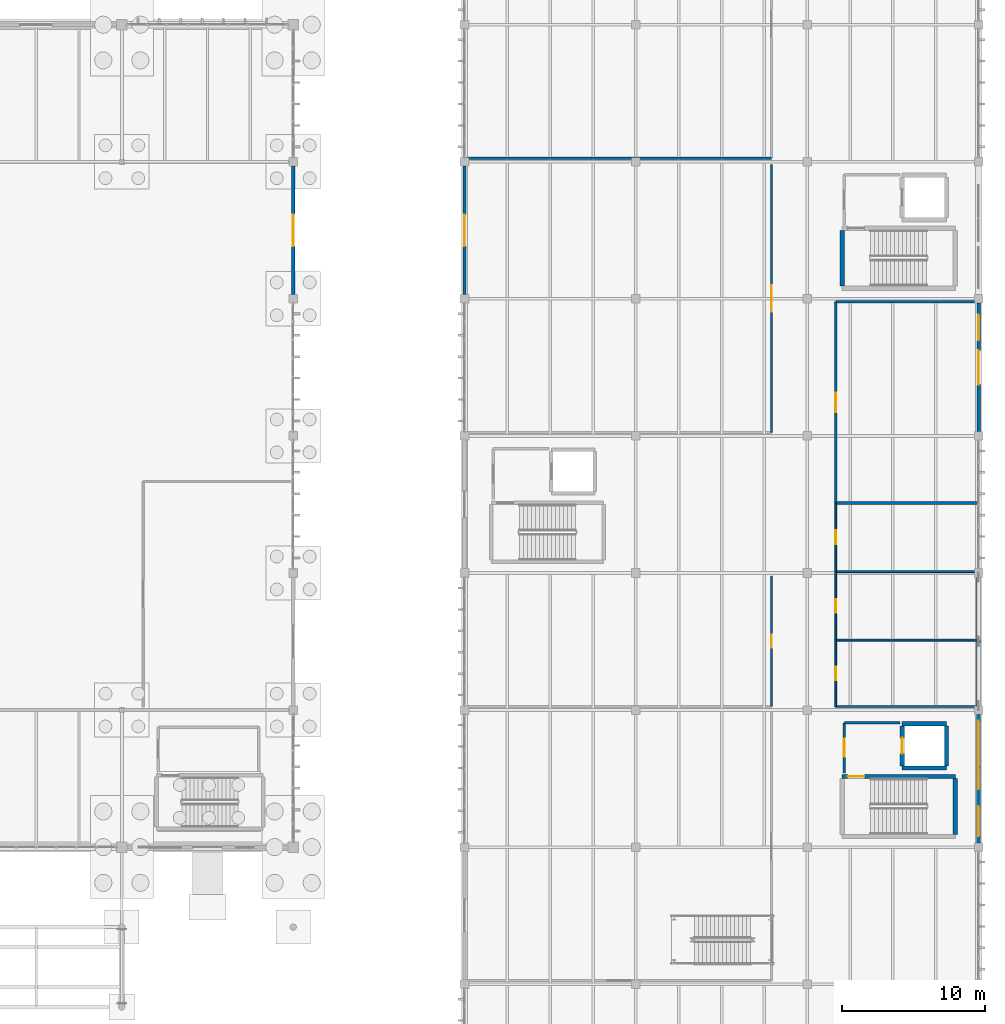
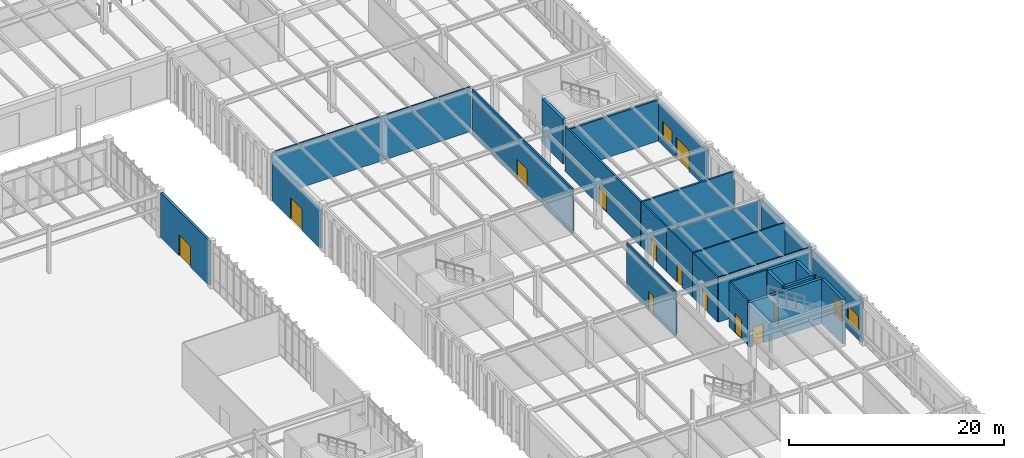
# One storey, part 168 of 188: 26 walls, 13 doors, 3 windows, 16 openings.
"""IFC4 building model written with IfcOpenShell, lengths in metres."""

from ifc_helpers import new_model, si_unit, direction, frame, frame_2d, origin, place, context, subcontext, project, spatial, rectangle, extrude, material, layer, layer_set, type_object, element, fill, save


model = new_model("IFC4")

# Units and contexts
model_context = context("Model", 3, precision=1e-05, world=origin(), true_north=direction((0.0, 1.0)))
body_context = subcontext(model_context, "Body", "Model", "MODEL_VIEW")
ifc_project = project(units=[si_unit("LENGTHUNIT", "METRE"), si_unit("AREAUNIT", "SQUARE_METRE"), si_unit("VOLUMEUNIT", "CUBIC_METRE"), si_unit("PLANEANGLEUNIT", "RADIAN"), si_unit("MASSUNIT", "GRAM", prefix="KILO")], contexts=[model_context])

# Site, building, storey
site_placement = place(None, origin())
site = spatial("IfcSite", under=ifc_project, at=site_placement, CompositionType="ELEMENT")
building_placement = place(site_placement, origin())
building = spatial("IfcBuilding", under=site, at=building_placement, Name="Pandanus Reach Market Hall", CompositionType="ELEMENT")
storey_placement = place(building_placement, origin())
storey = spatial("IfcBuildingStorey", under=building, at=storey_placement, Name="L00", CompositionType="ELEMENT", Elevation=0.0)

# Wall, opening, door
ifc_material_1 = material(Name="Concrete N40 (40 MPa)", Category="concrete")
ifc_layer_1 = layer(ifc_material_1, 0.300048828125, Name="WL-CORE-300")
ifc_layer_set_1 = layer_set([ifc_layer_1], Name="Concrete N40 (40 MPa)")
wall_type_1 = type_object("IfcWallType", Name="WL-CORE-300", PredefinedType="SHEAR", material=ifc_layer_set_1)
wall_1_placement = place(storey_placement, frame((170.449951171875, 33.75, 0.0), z_axis=(0.0, 0.0, 1.0), x_axis=(1.0, 0.0, 0.0)))
wall_1 = element("IfcWall", 1, at=wall_1_placement, inside=storey, type_object=wall_type_1, Name="Internal wall WL-CORE-300 WL-0161", PredefinedType="SHEAR", context=body_context, shape_type="SweptSolid", body=[
    extrude(rectangle(XDim=7.920166015625, YDim=0.300048828125, at=frame_2d((3.9599609375, 0.0))), origin(), (0.0, 0.0, 1.0), 5.080078125),
])
opening_1_placement = place(wall_1_placement, frame((0.39990234375, 0.0, 0.0)))
opening_1 = element("IfcOpeningElement", 2, at=opening_1_placement, cuts=wall_1, Name="Opening DR-FD1", PredefinedType="OPENING", context=body_context, shape_type="SweptSolid", body=[
    extrude(rectangle(XDim=1.14990234375, YDim=2.14990234375, at=frame_2d((0.574951171875, 1.074951171875))), frame((0.0, 0.1650390625, 0.0), z_axis=(0.0, -1.0, 0.0), x_axis=(1.0, 0.0, 0.0)), (0.0, 0.0, 1.0), 0.330078125),
])
ifc_material_2 = material(Name="Fire-rated steel door", Category="steel")
door_type_1 = type_object("IfcDoorType", Name="DR-FD1", OperationType="NOTDEFINED", PredefinedType="DOOR", material=ifc_material_2)
door_1_placement = place(opening_1_placement, origin())
door_1 = element("IfcDoor", 3, at=door_1_placement, inside=storey, type_object=door_type_1, Name="Fire stair door ST-01 L00", OperationType="SINGLE_SWING_LEFT", OverallHeight=2.14990234375, OverallWidth=1.14990234375, PredefinedType="DOOR", context=body_context, shape_type="SweptSolid", body=[
    extrude(rectangle(XDim=1.14990234375, YDim=2.14990234375, at=frame_2d((0.574951171875, 1.074951171875))), frame((0.0, 0.02490234375, 0.0), z_axis=(0.0, -1.0, 0.0), x_axis=(1.0, 0.0, 0.0)), (0.0, 0.0, 1.0), 0.050048828125),
])
fill(opening_1, door_1)

# Walls
wall_2_placement = place(storey_placement, frame((178.3701171875, 29.699951171875, 0.0), z_axis=(0.0, 0.0, 1.0), x_axis=(0.0, 1.0, 0.0)))
element("IfcWall", 4, at=wall_2_placement, inside=storey, type_object=wall_type_1, Name="Internal wall WL-CORE-300 WL-0163", PredefinedType="SHEAR", context=body_context, shape_type="SweptSolid", body=[
    extrude(rectangle(XDim=3.900146484375, YDim=0.300048828125, at=frame_2d((1.9501953125, 0.0))), origin(), (0.0, 0.0, 1.0), 5.080078125),
])
for number, where, z_axis, x_axis, name in (
    (5, (174.64990234375, 34.35009765625, 0.0), (0.0, 0.0, 1.0), (1.0, 0.0, 0.0), "Internal wall WL-CORE-300 WL-0164"),
    (6, (174.64990234375, 37.449951171875, 0.0), (0.0, 0.0, 1.0), (1.0, 0.0, 0.0), "Internal wall WL-CORE-300 WL-0165"),
):
    element("IfcWall", number, at=place(storey_placement, frame(where, z_axis=z_axis, x_axis=x_axis)), inside=storey, type_object=wall_type_1, Name=name, PredefinedType="SHEAR", context=body_context, shape_type="SweptSolid", body=[
        extrude(rectangle(XDim=3.10009765625, YDim=0.300048828125, at=frame_2d((1.550048828125, 0.0))), origin(), (0.0, 0.0, 1.0), 5.080078125),
    ])
wall_3_placement = place(storey_placement, frame((177.75, 34.5, 0.0), z_axis=(0.0, 0.0, 1.0), x_axis=(0.0, 1.0, 0.0)))
element("IfcWall", 7, at=wall_3_placement, inside=storey, type_object=wall_type_1, Name="Internal wall WL-CORE-300 WL-0166", PredefinedType="SHEAR", context=body_context, shape_type="SweptSolid", body=[
    extrude(rectangle(XDim=2.800048828125, YDim=0.300048828125, at=frame_2d((1.39990234375, 0.0))), origin(), (0.0, 0.0, 1.0), 5.080078125),
])

# Wall, opening, door
wall_4_placement = place(storey_placement, frame((174.64990234375, 34.5, 0.0), z_axis=(0.0, 0.0, 1.0), x_axis=(0.0, 1.0, 0.0)))
wall_4 = element("IfcWall", 8, at=wall_4_placement, inside=storey, type_object=wall_type_1, Name="Internal wall WL-CORE-300 WL-0167", PredefinedType="SHEAR", context=body_context, shape_type="SweptSolid", body=[
    extrude(rectangle(XDim=2.800048828125, YDim=0.300048828125, at=frame_2d((1.39990234375, 0.0))), origin(), (0.0, 0.0, 1.0), 5.080078125),
])
opening_2_placement = place(wall_4_placement, frame((0.85009765625, 0.0, 0.0)))
opening_2 = element("IfcOpeningElement", 9, at=opening_2_placement, cuts=wall_4, Name="Opening LD-01", PredefinedType="OPENING", context=body_context, shape_type="SweptSolid", body=[
    extrude(rectangle(XDim=1.10009765625, YDim=2.14990234375, at=frame_2d((0.550048828125, 1.074951171875))), frame((0.0, 0.1650390625, 0.0), z_axis=(0.0, -1.0, 0.0), x_axis=(1.0, 0.0, 0.0)), (0.0, 0.0, 1.0), 0.330078125),
])
ifc_material_3 = material(Name="Stainless steel lift landing door", Category="steel")
door_type_2 = type_object("IfcDoorType", Name="LD-01", OperationType="SLIDING_TO_LEFT", PredefinedType="DOOR", material=ifc_material_3)
door_2_placement = place(opening_2_placement, origin())
door_2 = element("IfcDoor", 10, at=door_2_placement, inside=storey, type_object=door_type_2, Name="Lift landing door LF-01 LD-01 6", OperationType="SLIDING_TO_LEFT", OverallHeight=2.14990234375, OverallWidth=1.10009765625, PredefinedType="DOOR", context=body_context, shape_type="SweptSolid", body=[
    extrude(rectangle(XDim=1.10009765625, YDim=2.14990234375, at=frame_2d((0.550048828125, 1.074951171875))), frame((0.0, 0.02490234375, 0.0), z_axis=(0.0, -1.0, 0.0), x_axis=(1.0, 0.0, 0.0)), (0.0, 0.0, 1.0), 0.050048828125),
])
fill(opening_2, door_2)

# Wall
wall_5_placement = place(storey_placement, frame((170.449951171875, 68.10009765625, 0.0), z_axis=(0.0, 0.0, 1.0), x_axis=(0.0, 1.0, 0.0)))
element("IfcWall", 11, at=wall_5_placement, inside=storey, type_object=wall_type_1, Name="Internal wall WL-CORE-300 WL-0222", PredefinedType="SHEAR", context=body_context, shape_type="SweptSolid", body=[
    extrude(rectangle(XDim=3.89990234375, YDim=0.300048828125, at=frame_2d((1.949951171875, 0.0))), origin(), (0.0, 0.0, 1.0), 5.080078125),
])

# Wall, openings, door, window
ifc_material_4 = material(Name="Precast concrete S50 (50 MPa)", Category="concrete")
ifc_layer_2 = layer(ifc_material_4, 0.239990234375, Name="WL-EXT-240")
ifc_layer_set_2 = layer_set([ifc_layer_2], Name="Precast concrete S50 (50 MPa)")
wall_type_2 = type_object("IfcWallType", Name="WL-EXT-240", PredefinedType="SOLIDWALL", material=ifc_layer_set_2)
wall_6_placement = place(storey_placement, frame((180.0, 57.89990234375, 0.0), z_axis=(0.0, 0.0, 1.0), x_axis=(0.0, 1.0, 0.0)))
wall_6 = element("IfcWall", 12, at=wall_6_placement, inside=storey, type_object=wall_type_2, Name="External wall WL-EXT-240 WL-0092", PredefinedType="SOLIDWALL", context=body_context, shape_type="SweptSolid", body=[
    extrude(rectangle(XDim=9.0, YDim=0.239990234375, at=frame_2d((4.5, 0.0))), origin(), (0.0, 0.0, 1.0), 4.321044921875),
])
opening_3_placement = place(wall_6_placement, frame((3.300048828125, 0.0, 0.0)))
opening_3 = element("IfcOpeningElement", 13, at=opening_3_placement, cuts=wall_6, Name="Opening ED-240", PredefinedType="OPENING", context=body_context, shape_type="SweptSolid", body=[
    extrude(rectangle(XDim=2.39990234375, YDim=2.39990234375, at=frame_2d((1.199951171875, 1.199951171875))), frame((0.0, 0.135009765625, 0.0), z_axis=(0.0, -1.0, 0.0), x_axis=(1.0, 0.0, 0.0)), (0.0, 0.0, 1.0), 0.27001953125),
])
opening_4_placement = place(wall_6_placement, frame((6.39990234375, 0.0, 0.89990234375)))
opening_4 = element("IfcOpeningElement", 14, at=opening_4_placement, cuts=wall_6, Name="Opening WN-03", PredefinedType="OPENING", context=body_context, shape_type="SweptSolid", body=[
    extrude(rectangle(XDim=1.800048828125, YDim=1.800048828125, at=frame_2d((0.89990234375, 0.89990234375))), frame((0.0, 0.135009765625, 0.0), z_axis=(0.0, -1.0, 0.0), x_axis=(1.0, 0.0, 0.0)), (0.0, 0.0, 1.0), 0.27001953125),
])
ifc_material_5 = material(Name="Bronze anodised aluminium", Category="aluminium")
door_type_3 = type_object("IfcDoorType", Name="ED-240", OperationType="DOUBLE_DOOR_SINGLE_SWING", PredefinedType="DOOR", material=ifc_material_5)
door_3_placement = place(opening_3_placement, frame((2.39990234375, 0.0, 0.0), z_axis=(0.0, 0.0, 1.0), x_axis=(-1.0, 0.0, 0.0)))
door_3 = element("IfcDoor", 15, at=door_3_placement, inside=storey, type_object=door_type_3, Name="Boulevard shopfront entrance ED-240 30", OperationType="DOUBLE_DOOR_SINGLE_SWING", OverallHeight=2.39990234375, OverallWidth=2.39990234375, PredefinedType="DOOR", context=body_context, shape_type="SweptSolid", body=[
    extrude(rectangle(XDim=2.39990234375, YDim=2.39990234375, at=frame_2d((1.199951171875, 1.199951171875))), frame((0.0, 0.02490234375, 0.0), z_axis=(0.0, -1.0, 0.0), x_axis=(1.0, 0.0, 0.0)), (0.0, 0.0, 1.0), 0.050048828125),
])
fill(opening_3, door_3)
ifc_material_6 = material(Name="Solar-control double glazing", Category="glass")
window_type_1 = type_object("IfcWindowType", Name="WN-03", PartitioningType="SINGLE_PANEL", PredefinedType="WINDOW", material=ifc_material_6)
window_1_placement = place(opening_4_placement, origin())
window_1 = element("IfcWindow", 16, at=window_1_placement, inside=storey, type_object=window_type_1, Name="Window WN-03 47", OverallHeight=1.800048828125, OverallWidth=1.800048828125, PartitioningType="SINGLE_PANEL", PredefinedType="WINDOW", context=body_context, shape_type="SweptSolid", body=[
    extrude(rectangle(XDim=1.800048828125, YDim=1.800048828125, at=frame_2d((0.89990234375, 0.89990234375))), frame((0.0, 0.030029296875, 0.0), z_axis=(0.0, -1.0, 0.0), x_axis=(1.0, 0.0, 0.0)), (0.0, 0.0, 1.0), 0.06005859375),
])
fill(opening_4, window_1)

# Wall, opening, door
wall_7_placement = place(storey_placement, frame((144.0, 67.5, 0.0), z_axis=(0.0, 0.0, 1.0), x_axis=(0.0, 1.0, 0.0)))
wall_7 = element("IfcWall", 17, at=wall_7_placement, inside=storey, type_object=wall_type_2, Name="External wall WL-EXT-240 WL-0096", PredefinedType="SOLIDWALL", context=body_context, shape_type="SweptSolid", body=[
    extrude(rectangle(XDim=9.0, YDim=0.239990234375, at=frame_2d((4.5, 0.0))), origin(), (0.0, 0.0, 1.0), 4.321044921875),
])
opening_5_placement = place(wall_7_placement, frame((3.39990234375, 0.0, 0.0)))
opening_5 = element("IfcOpeningElement", 18, at=opening_5_placement, cuts=wall_7, Name="Opening ED-220", PredefinedType="OPENING", context=body_context, shape_type="SweptSolid", body=[
    extrude(rectangle(XDim=2.199951171875, YDim=2.39990234375, at=frame_2d((1.10009765625, 1.199951171875))), frame((0.0, 0.135009765625, 0.0), z_axis=(0.0, -1.0, 0.0), x_axis=(1.0, 0.0, 0.0)), (0.0, 0.0, 1.0), 0.27001953125),
])
door_type_4 = type_object("IfcDoorType", Name="ED-220", OperationType="DOUBLE_DOOR_SINGLE_SWING", PredefinedType="DOOR", material=ifc_material_5)
door_4_placement = place(opening_5_placement, origin())
door_4 = element("IfcDoor", 19, at=door_4_placement, inside=storey, type_object=door_type_4, Name="East market arcade entrance ED-220 34", OperationType="DOUBLE_DOOR_SINGLE_SWING", OverallHeight=2.39990234375, OverallWidth=2.199951171875, PredefinedType="DOOR", context=body_context, shape_type="SweptSolid", body=[
    extrude(rectangle(XDim=2.199951171875, YDim=2.39990234375, at=frame_2d((1.10009765625, 1.199951171875))), frame((0.0, 0.02490234375, 0.0), z_axis=(0.0, -1.0, 0.0), x_axis=(1.0, 0.0, 0.0)), (0.0, 0.0, 1.0), 0.050048828125),
])
fill(opening_5, door_4)

ifc_layer_3 = layer(ifc_material_4, 0.260009765625, Name="WL-EXT-260")
ifc_layer_set_3 = layer_set([ifc_layer_3], Name="Precast concrete S50 (50 MPa)")
wall_type_3 = type_object("IfcWallType", Name="WL-EXT-260", PredefinedType="SOLIDWALL", material=ifc_layer_set_3)
wall_8_placement = place(storey_placement, frame((132.0, 67.5, 0.0), z_axis=(0.0, 0.0, 1.0), x_axis=(0.0, 1.0, 0.0)))
wall_8 = element("IfcWall", 20, at=wall_8_placement, inside=storey, type_object=wall_type_3, Name="External wall WL-EXT-260 WL-0059", PredefinedType="SOLIDWALL", context=body_context, shape_type="SweptSolid", body=[
    extrude(rectangle(XDim=9.0, YDim=0.260009765625, at=frame_2d((4.5, 0.0))), origin(), (0.0, 0.0, 1.0), 5.10009765625),
])
opening_6_placement = place(wall_8_placement, frame((3.39990234375, 0.0, 0.0)))
opening_6 = element("IfcOpeningElement", 21, at=opening_6_placement, cuts=wall_8, Name="Opening ED-220", PredefinedType="OPENING", context=body_context, shape_type="SweptSolid", body=[
    extrude(rectangle(XDim=2.199951171875, YDim=2.39990234375, at=frame_2d((1.10009765625, 1.199951171875))), frame((0.0, 0.14501953125, 0.0), z_axis=(0.0, -1.0, 0.0), x_axis=(1.0, 0.0, 0.0)), (0.0, 0.0, 1.0), 0.2900390625),
])
door_5_placement = place(opening_6_placement, frame((2.199951171875, 0.0, 0.0), z_axis=(0.0, 0.0, 1.0), x_axis=(-1.0, 0.0, 0.0)))
door_5 = element("IfcDoor", 22, at=door_5_placement, inside=storey, type_object=door_type_4, Name="Market gable entrance ED-220 12", OperationType="DOUBLE_DOOR_SINGLE_SWING", OverallHeight=2.39990234375, OverallWidth=2.199951171875, PredefinedType="DOOR", context=body_context, shape_type="SweptSolid", body=[
    extrude(rectangle(XDim=2.199951171875, YDim=2.39990234375, at=frame_2d((1.10009765625, 1.199951171875))), frame((0.0, 0.02490234375, 0.0), z_axis=(0.0, -1.0, 0.0), x_axis=(1.0, 0.0, 0.0)), (0.0, 0.0, 1.0), 0.050048828125),
])
fill(opening_6, door_5)

# Wall, openings, door, windows
wall_9_placement = place(storey_placement, frame((180.0, 29.10009765625, 0.0), z_axis=(0.0, 0.0, 1.0), x_axis=(0.0, 1.0, 0.0)))
wall_9 = element("IfcWall", 23, at=wall_9_placement, inside=storey, type_object=wall_type_3, Name="External wall WL-EXT-260 WL-0090", PredefinedType="SOLIDWALL", context=body_context, shape_type="SweptSolid", body=[
    extrude(rectangle(XDim=9.0, YDim=0.260009765625, at=frame_2d((4.5, 0.0))), origin(), (0.0, 0.0, 1.0), 5.10009765625),
])
opening_7_placement = place(wall_9_placement, frame((3.75, 0.0, 0.0)))
opening_7 = element("IfcOpeningElement", 24, at=opening_7_placement, cuts=wall_9, Name="Opening ED-150", PredefinedType="OPENING", context=body_context, shape_type="SweptSolid", body=[
    extrude(rectangle(XDim=1.5, YDim=2.199951171875, at=frame_2d((0.75, 1.10009765625))), frame((0.0, 0.14501953125, 0.0), z_axis=(0.0, -1.0, 0.0), x_axis=(1.0, 0.0, 0.0)), (0.0, 0.0, 1.0), 0.2900390625),
])
opening_8_placement = place(wall_9_placement, frame((5.39990234375, 0.0, 0.949951171875)))
opening_8 = element("IfcOpeningElement", 25, at=opening_8_placement, cuts=wall_9, Name="Opening WN-32", PredefinedType="OPENING", context=body_context, shape_type="SweptSolid", body=[
    extrude(rectangle(XDim=3.14990234375, YDim=1.64990234375, at=frame_2d((1.574951171875, 0.824951171875))), frame((0.0, 0.14501953125, 0.0), z_axis=(0.0, -1.0, 0.0), x_axis=(1.0, 0.0, 0.0)), (0.0, 0.0, 1.0), 0.2900390625),
])
opening_9_placement = place(wall_9_placement, frame((0.449951171875, 0.0, 0.89990234375)))
opening_9 = element("IfcOpeningElement", 26, at=opening_9_placement, cuts=wall_9, Name="Opening WN-04", PredefinedType="OPENING", context=body_context, shape_type="SweptSolid", body=[
    extrude(rectangle(XDim=2.10009765625, YDim=1.800048828125, at=frame_2d((1.050048828125, 0.89990234375))), frame((0.0, 0.14501953125, 0.0), z_axis=(0.0, -1.0, 0.0), x_axis=(1.0, 0.0, 0.0)), (0.0, 0.0, 1.0), 0.2900390625),
])
door_type_5 = type_object("IfcDoorType", Name="ED-150", OperationType="NOTDEFINED", PredefinedType="DOOR", material=ifc_material_5)
door_6_placement = place(opening_7_placement, frame((1.5, 0.0, 0.0), z_axis=(0.0, 0.0, 1.0), x_axis=(-1.0, 0.0, 0.0)))
door_6 = element("IfcDoor", 27, at=door_6_placement, inside=storey, type_object=door_type_5, Name="Stair ST-01 boulevard exit ED-150 29", OperationType="SINGLE_SWING_RIGHT", OverallHeight=2.199951171875, OverallWidth=1.5, PredefinedType="DOOR", context=body_context, shape_type="SweptSolid", body=[
    extrude(rectangle(XDim=1.5, YDim=2.199951171875, at=frame_2d((0.75, 1.10009765625))), frame((0.0, 0.02490234375, 0.0), z_axis=(0.0, -1.0, 0.0), x_axis=(1.0, 0.0, 0.0)), (0.0, 0.0, 1.0), 0.050048828125),
])
fill(opening_7, door_6)
window_type_2 = type_object("IfcWindowType", Name="WN-04", PartitioningType="SINGLE_PANEL", PredefinedType="WINDOW", material=ifc_material_6)
window_2_placement = place(opening_9_placement, origin())
window_2 = element("IfcWindow", 28, at=window_2_placement, inside=storey, type_object=window_type_2, Name="Window WN-04 46", OverallHeight=1.800048828125, OverallWidth=2.10009765625, PartitioningType="SINGLE_PANEL", PredefinedType="WINDOW", context=body_context, shape_type="SweptSolid", body=[
    extrude(rectangle(XDim=2.10009765625, YDim=1.800048828125, at=frame_2d((1.050048828125, 0.89990234375))), frame((0.0, 0.030029296875, 0.0), z_axis=(0.0, -1.0, 0.0), x_axis=(1.0, 0.0, 0.0)), (0.0, 0.0, 1.0), 0.06005859375),
])
fill(opening_9, window_2)
window_type_3 = type_object("IfcWindowType", Name="WN-32", PartitioningType="SINGLE_PANEL", PredefinedType="WINDOW", material=ifc_material_6)
window_3_placement = place(opening_8_placement, origin())
window_3 = element("IfcWindow", 29, at=window_3_placement, inside=storey, type_object=window_type_3, Name="Window WN-32 45", OverallHeight=1.64990234375, OverallWidth=3.14990234375, PartitioningType="SINGLE_PANEL", PredefinedType="WINDOW", context=body_context, shape_type="SweptSolid", body=[
    extrude(rectangle(XDim=3.14990234375, YDim=1.64990234375, at=frame_2d((1.574951171875, 0.824951171875))), frame((0.0, 0.030029296875, 0.0), z_axis=(0.0, -1.0, 0.0), x_axis=(1.0, 0.0, 0.0)), (0.0, 0.0, 1.0), 0.06005859375),
])
fill(opening_8, window_3)

# Walls
ifc_layer_4 = layer(ifc_material_4, 0.280029296875, Name="WL-EXT-280")
ifc_layer_set_4 = layer_set([ifc_layer_4], Name="Precast concrete S50 (50 MPa)")
wall_type_4 = type_object("IfcWallType", Name="WL-EXT-280", PredefinedType="SOLIDWALL", material=ifc_layer_set_4)
wall_10_placement = place(storey_placement, frame((180.0, 38.699951171875, 0.0), z_axis=(0.0, 0.0, 1.0), x_axis=(0.0, 1.0, 0.0)))
element("IfcWall", 30, at=wall_10_placement, inside=storey, type_object=wall_type_4, Name="External wall WL-EXT-280 WL-0091", PredefinedType="SOLIDWALL", context=body_context, shape_type="SweptSolid", body=[
    extrude(rectangle(XDim=9.0, YDim=0.280029296875, at=frame_2d((4.5, 0.0))), origin(), (0.0, 0.0, 1.0), 5.10009765625),
])
ifc_layer_5 = layer(ifc_material_1, 0.199951171875, Name="WL-FIRE-200")
ifc_layer_set_5 = layer_set([ifc_layer_5], Name="Concrete N40 (40 MPa)")
wall_type_5 = type_object("IfcWallType", Name="WL-FIRE-200", PredefinedType="SOLIDWALL", material=ifc_layer_set_5)
wall_11_placement = place(storey_placement, frame((170.0, 52.89990234375, 0.0), z_axis=(0.0, 0.0, 1.0), x_axis=(1.0, 0.0, 0.0)))
element("IfcWall", 31, at=wall_11_placement, inside=storey, type_object=wall_type_5, Name="Internal wall WL-FIRE-200 WL-0501", PredefinedType="SOLIDWALL", context=body_context, shape_type="SweptSolid", body=[
    extrude(rectangle(XDim=9.9599609375, YDim=0.199951171875, at=frame_2d((4.97998046875, 0.0))), origin(), (0.0, 0.0, 1.0), 5.080078125),
])
wall_12_placement = place(storey_placement, frame((170.0, 67.0, 0.0), z_axis=(0.0, 0.0, 1.0), x_axis=(1.0, 0.0, 0.0)))
element("IfcWall", 32, at=wall_12_placement, inside=storey, type_object=wall_type_5, Name="Internal wall WL-FIRE-200 WL-0502", PredefinedType="SOLIDWALL", context=body_context, shape_type="SweptSolid", body=[
    extrude(rectangle(XDim=9.9599609375, YDim=0.199951171875, at=frame_2d((4.97998046875, 0.0))), origin(), (0.0, 0.0, 1.0), 4.65966796875),
])

# Wall, opening, door
wall_13_placement = place(storey_placement, frame((170.0, 52.89990234375, 0.0), z_axis=(0.0, 0.0, 1.0), x_axis=(0.0, 1.0, 0.0)))
wall_13 = element("IfcWall", 33, at=wall_13_placement, inside=storey, type_object=wall_type_5, Name="Internal wall WL-FIRE-200 WL-0506", PredefinedType="SOLIDWALL", context=body_context, shape_type="SweptSolid", body=[
    extrude(rectangle(XDim=14.10009765625, YDim=0.199951171875, at=frame_2d((7.050048828125, 0.0))), origin(), (0.0, 0.0, 1.0), 5.080078125),
])
opening_10_placement = place(wall_13_placement, frame((6.375, 0.0, 0.0)))
opening_10 = element("IfcOpeningElement", 34, at=opening_10_placement, cuts=wall_13, Name="Opening DR-FD4", PredefinedType="OPENING", context=body_context, shape_type="SweptSolid", body=[
    extrude(rectangle(XDim=1.35009765625, YDim=2.199951171875, at=frame_2d((0.675048828125, 1.10009765625))), frame((0.0, 0.114990234375, 0.0), z_axis=(0.0, -1.0, 0.0), x_axis=(1.0, 0.0, 0.0)), (0.0, 0.0, 1.0), 0.22998046875),
])
ifc_material_7 = material(Name="Fire-rated plant room door")
door_type_6 = type_object("IfcDoorType", Name="DR-FD4", OperationType="NOTDEFINED", PredefinedType="DOOR", material=ifc_material_7)
door_7_placement = place(opening_10_placement, origin())
door_7 = element("IfcDoor", 35, at=door_7_placement, inside=storey, type_object=door_type_6, Name="Substation fire door DR-FD4 126", OperationType="SINGLE_SWING_LEFT", OverallHeight=2.199951171875, OverallWidth=1.35009765625, PredefinedType="DOOR", context=body_context, shape_type="SweptSolid", body=[
    extrude(rectangle(XDim=1.35009765625, YDim=2.199951171875, at=frame_2d((0.675048828125, 1.10009765625))), frame((0.0, 0.02490234375, 0.0), z_axis=(0.0, -1.0, 0.0), x_axis=(1.0, 0.0, 0.0)), (0.0, 0.0, 1.0), 0.050048828125),
])
fill(opening_10, door_7)

ifc_layer_6 = layer(ifc_material_1, 0.175048828125, Name="WL-LOB-175")
ifc_layer_set_6 = layer_set([ifc_layer_6], Name="Concrete N40 (40 MPa)")
wall_type_6 = type_object("IfcWallType", Name="WL-LOB-175", PredefinedType="PARTITIONING", material=ifc_layer_set_6)
wall_14_placement = place(storey_placement, frame((170.60009765625, 34.0, 0.0), z_axis=(0.0, 0.0, 1.0), x_axis=(0.0, 1.0, 0.0)))
wall_14 = element("IfcWall", 36, at=wall_14_placement, inside=storey, type_object=wall_type_6, Name="Internal wall WL-LOB-175 WL-0168", PredefinedType="PARTITIONING", context=body_context, shape_type="SweptSolid", body=[
    extrude(rectangle(XDim=3.5, YDim=0.175048828125, at=frame_2d((1.75, 0.0))), origin(), (0.0, 0.0, 1.0), 5.080078125),
])
opening_11_placement = place(wall_14_placement, frame((1.125, 0.0, 0.0)))
opening_11 = element("IfcOpeningElement", 37, at=opening_11_placement, cuts=wall_14, Name="Opening DR-FD2", PredefinedType="OPENING", context=body_context, shape_type="SweptSolid", body=[
    extrude(rectangle(XDim=1.25, YDim=2.199951171875, at=frame_2d((0.625, 1.10009765625))), frame((0.0, 0.1025390625, 0.0), z_axis=(0.0, -1.0, 0.0), x_axis=(1.0, 0.0, 0.0)), (0.0, 0.0, 1.0), 0.205078125),
])
door_type_7 = type_object("IfcDoorType", Name="DR-FD2", OperationType="NOTDEFINED", PredefinedType="DOOR", material=ifc_material_2)
door_8_placement = place(opening_11_placement, frame((1.25, 0.0, 0.0), z_axis=(0.0, 0.0, 1.0), x_axis=(-1.0, 0.0, 0.0)))
door_8 = element("IfcDoor", 38, at=door_8_placement, inside=storey, type_object=door_type_7, Name="Core C1 lobby fire door DR-FD2 7", OperationType="SINGLE_SWING_RIGHT", OverallHeight=2.199951171875, OverallWidth=1.25, PredefinedType="DOOR", context=body_context, shape_type="SweptSolid", body=[
    extrude(rectangle(XDim=1.25, YDim=2.199951171875, at=frame_2d((0.625, 1.10009765625))), frame((0.0, 0.02490234375, 0.0), z_axis=(0.0, -1.0, 0.0), x_axis=(1.0, 0.0, 0.0)), (0.0, 0.0, 1.0), 0.050048828125),
])
fill(opening_11, door_8)

# Walls
wall_15_placement = place(storey_placement, frame((170.60009765625, 37.5, 0.0), z_axis=(0.0, 0.0, 1.0), x_axis=(1.0, 0.0, 0.0)))
element("IfcWall", 39, at=wall_15_placement, inside=storey, type_object=wall_type_6, Name="Internal wall WL-LOB-175 WL-0169", PredefinedType="PARTITIONING", context=body_context, shape_type="SweptSolid", body=[
    extrude(rectangle(XDim=3.89990234375, YDim=0.175048828125, at=frame_2d((1.949951171875, 0.0))), origin(), (0.0, 0.0, 1.0), 5.080078125),
])
ifc_material_8 = material(Name="Moisture-resistant plasterboard partition", Category="gypsum")
ifc_layer_7 = layer(ifc_material_8, 0.135009765625, Name="WL-PRT-135")
ifc_layer_set_7 = layer_set([ifc_layer_7], Name="Moisture-resistant plasterboard partition")
wall_type_7 = type_object("IfcWallType", Name="WL-PRT-135", PredefinedType="PARTITIONING", material=ifc_layer_set_7)
for number, where, z_axis, x_axis, name in (
    (40, (170.0, 38.64990234375, 0.0), (0.0, 0.0, 1.0), (1.0, 0.0, 0.0), "Internal wall WL-PRT-135 WL-0498"),
    (41, (170.0, 43.300048828125, 0.0), (0.0, 0.0, 1.0), (1.0, 0.0, 0.0), "Internal wall WL-PRT-135 WL-0499"),
):
    element("IfcWall", number, at=place(storey_placement, frame(where, z_axis=z_axis, x_axis=x_axis)), inside=storey, type_object=wall_type_7, Name=name, PredefinedType="PARTITIONING", context=body_context, shape_type="SweptSolid", body=[
        extrude(rectangle(XDim=9.9599609375, YDim=0.135009765625, at=frame_2d((4.97998046875, 0.0))), origin(), (0.0, 0.0, 1.0), 5.080078125),
    ])
wall_16_placement = place(storey_placement, frame((170.0, 48.10009765625, 0.0), z_axis=(0.0, 0.0, 1.0), x_axis=(1.0, 0.0, 0.0)))
element("IfcWall", 42, at=wall_16_placement, inside=storey, type_object=wall_type_7, Name="Internal wall WL-PRT-135 WL-0500", PredefinedType="PARTITIONING", context=body_context, shape_type="SweptSolid", body=[
    extrude(rectangle(XDim=9.9599609375, YDim=0.135009765625, at=frame_2d((4.97998046875, 0.0))), origin(), (0.0, 0.0, 1.0), 4.65966796875),
])

# Wall, opening, door
wall_17_placement = place(storey_placement, frame((170.0, 38.64990234375, 0.0), z_axis=(0.0, 0.0, 1.0), x_axis=(0.0, 1.0, 0.0)))
wall_17 = element("IfcWall", 43, at=wall_17_placement, inside=storey, type_object=wall_type_7, Name="Internal wall WL-PRT-135 WL-0503", PredefinedType="PARTITIONING", context=body_context, shape_type="SweptSolid", body=[
    extrude(rectangle(XDim=4.650146484375, YDim=0.135009765625, at=frame_2d((2.3251953125, 0.0))), origin(), (0.0, 0.0, 1.0), 5.080078125),
])
opening_12_placement = place(wall_17_placement, frame((1.85009765625, 0.0, 0.0)))
opening_12 = element("IfcOpeningElement", 44, at=opening_12_placement, cuts=wall_17, Name="Opening DR-I09", PredefinedType="OPENING", context=body_context, shape_type="SweptSolid", body=[
    extrude(rectangle(XDim=0.949951171875, YDim=2.10009765625, at=frame_2d((0.47509765625, 1.050048828125))), frame((0.0, 0.08251953125, 0.0), z_axis=(0.0, -1.0, 0.0), x_axis=(1.0, 0.0, 0.0)), (0.0, 0.0, 1.0), 0.1650390625),
])
ifc_material_9 = material(Name="Solid-core hardwood timber door", Category="wood")
door_type_8 = type_object("IfcDoorType", Name="DR-I09", OperationType="NOTDEFINED", PredefinedType="DOOR", material=ifc_material_9)
door_9_placement = place(opening_12_placement, origin())
door_9 = element("IfcDoor", 45, at=door_9_placement, inside=storey, type_object=door_type_8, Name="Ground public male WC door DR-I09 123", OperationType="SINGLE_SWING_RIGHT", OverallHeight=2.10009765625, OverallWidth=0.949951171875, PredefinedType="DOOR", context=body_context, shape_type="SweptSolid", body=[
    extrude(rectangle(XDim=0.949951171875, YDim=2.10009765625, at=frame_2d((0.47509765625, 1.050048828125))), frame((0.0, 0.02490234375, 0.0), z_axis=(0.0, -1.0, 0.0), x_axis=(1.0, 0.0, 0.0)), (0.0, 0.0, 1.0), 0.050048828125),
])
fill(opening_12, door_9)

wall_18_placement = place(storey_placement, frame((170.0, 43.300048828125, 0.0), z_axis=(0.0, 0.0, 1.0), x_axis=(0.0, 1.0, 0.0)))
wall_18 = element("IfcWall", 46, at=wall_18_placement, inside=storey, type_object=wall_type_7, Name="Internal wall WL-PRT-135 WL-0504", PredefinedType="PARTITIONING", context=body_context, shape_type="SweptSolid", body=[
    extrude(rectangle(XDim=4.800048828125, YDim=0.135009765625, at=frame_2d((2.39990234375, 0.0))), origin(), (0.0, 0.0, 1.0), 5.080078125),
])
opening_13_placement = place(wall_18_placement, frame((1.925048828125, 0.0, 0.0)))
opening_13 = element("IfcOpeningElement", 47, at=opening_13_placement, cuts=wall_18, Name="Opening DR-I09", PredefinedType="OPENING", context=body_context, shape_type="SweptSolid", body=[
    extrude(rectangle(XDim=0.949951171875, YDim=2.10009765625, at=frame_2d((0.47509765625, 1.050048828125))), frame((0.0, 0.08251953125, 0.0), z_axis=(0.0, -1.0, 0.0), x_axis=(1.0, 0.0, 0.0)), (0.0, 0.0, 1.0), 0.1650390625),
])
door_10_placement = place(opening_13_placement, origin())
door_10 = element("IfcDoor", 48, at=door_10_placement, inside=storey, type_object=door_type_8, Name="Ground public female WC door DR-I09 124", OperationType="SINGLE_SWING_LEFT", OverallHeight=2.10009765625, OverallWidth=0.949951171875, PredefinedType="DOOR", context=body_context, shape_type="SweptSolid", body=[
    extrude(rectangle(XDim=0.949951171875, YDim=2.10009765625, at=frame_2d((0.47509765625, 1.050048828125))), frame((0.0, 0.02490234375, 0.0), z_axis=(0.0, -1.0, 0.0), x_axis=(1.0, 0.0, 0.0)), (0.0, 0.0, 1.0), 0.050048828125),
])
fill(opening_13, door_10)

wall_19_placement = place(storey_placement, frame((170.0, 48.10009765625, 0.0), z_axis=(0.0, 0.0, 1.0), x_axis=(0.0, 1.0, 0.0)))
wall_19 = element("IfcWall", 49, at=wall_19_placement, inside=storey, type_object=wall_type_7, Name="Internal wall WL-PRT-135 WL-0505", PredefinedType="PARTITIONING", context=body_context, shape_type="SweptSolid", body=[
    extrude(rectangle(XDim=4.7998046875, YDim=0.135009765625, at=frame_2d((2.39990234375, 0.0))), origin(), (0.0, 0.0, 1.0), 5.080078125),
])
opening_14_placement = place(wall_19_placement, frame((1.89990234375, 0.0, 0.0)))
opening_14 = element("IfcOpeningElement", 50, at=opening_14_placement, cuts=wall_19, Name="Opening DR-I10", PredefinedType="OPENING", context=body_context, shape_type="SweptSolid", body=[
    extrude(rectangle(XDim=1.0, YDim=2.10009765625, at=frame_2d((0.5, 1.050048828125))), frame((0.0, 0.08251953125, 0.0), z_axis=(0.0, -1.0, 0.0), x_axis=(1.0, 0.0, 0.0)), (0.0, 0.0, 1.0), 0.1650390625),
])
ifc_material_10 = material(Name="Accessible unisex WC timber door", Category="wood")
door_type_9 = type_object("IfcDoorType", Name="DR-I10", OperationType="NOTDEFINED", PredefinedType="DOOR", material=ifc_material_10)
door_11_placement = place(opening_14_placement, origin())
door_11 = element("IfcDoor", 51, at=door_11_placement, inside=storey, type_object=door_type_9, Name="Ground accessible unisex WC door DR-I10 125", OperationType="SINGLE_SWING_RIGHT", OverallHeight=2.10009765625, OverallWidth=1.0, PredefinedType="DOOR", context=body_context, shape_type="SweptSolid", body=[
    extrude(rectangle(XDim=1.0, YDim=2.10009765625, at=frame_2d((0.5, 1.050048828125))), frame((0.0, 0.02490234375, 0.0), z_axis=(0.0, -1.0, 0.0), x_axis=(1.0, 0.0, 0.0)), (0.0, 0.0, 1.0), 0.050048828125),
])
fill(opening_14, door_11)

ifc_material_11 = material(Name="Acoustic plasterboard on steel framing", Category="steel")
ifc_layer_8 = layer(ifc_material_11, 0.14990234375, Name="WL-PRT-150")
ifc_layer_set_8 = layer_set([ifc_layer_8], Name="Acoustic plasterboard on steel framing")
wall_type_8 = type_object("IfcWallType", Name="WL-PRT-150", PredefinedType="PARTITIONING", material=ifc_layer_set_8)
wall_20_placement = place(storey_placement, frame((165.5, 38.64990234375, 0.0), z_axis=(0.0, 0.0, 1.0), x_axis=(0.0, 1.0, 0.0)))
wall_20 = element("IfcWall", 52, at=wall_20_placement, inside=storey, type_object=wall_type_8, Name="Internal wall WL-PRT-150 WL-0493", PredefinedType="PARTITIONING", context=body_context, shape_type="SweptSolid", body=[
    extrude(rectangle(XDim=9.150146484375, YDim=0.14990234375, at=frame_2d((4.5751953125, 0.0))), origin(), (0.0, 0.0, 1.0), 5.080078125),
])
opening_15_placement = place(wall_20_placement, frame((4.125, 0.0, 0.0)))
opening_15 = element("IfcOpeningElement", 53, at=opening_15_placement, cuts=wall_20, Name="Opening DR-I08", PredefinedType="OPENING", context=body_context, shape_type="SweptSolid", body=[
    extrude(rectangle(XDim=0.89990234375, YDim=2.050048828125, at=frame_2d((0.449951171875, 1.02490234375))), frame((0.0, 0.08984375, 0.0), z_axis=(0.0, -1.0, 0.0), x_axis=(1.0, 0.0, 0.0)), (0.0, 0.0, 1.0), 0.179931640625),
])
ifc_material_12 = material(Name="Cleaners and service store timber door", Category="wood")
door_type_10 = type_object("IfcDoorType", Name="DR-I08", OperationType="NOTDEFINED", PredefinedType="DOOR", material=ifc_material_12)
door_12_placement = place(opening_15_placement, origin())
door_12 = element("IfcDoor", 54, at=door_12_placement, inside=storey, type_object=door_type_10, Name="Market cleaners store door DR-I08 120", OperationType="SINGLE_SWING_LEFT", OverallHeight=2.050048828125, OverallWidth=0.89990234375, PredefinedType="DOOR", context=body_context, shape_type="SweptSolid", body=[
    extrude(rectangle(XDim=0.89990234375, YDim=2.050048828125, at=frame_2d((0.449951171875, 1.02490234375))), frame((0.0, 0.02490234375, 0.0), z_axis=(0.0, -1.0, 0.0), x_axis=(1.0, 0.0, 0.0)), (0.0, 0.0, 1.0), 0.050048828125),
])
fill(opening_15, door_12)

wall_21_placement = place(storey_placement, frame((165.5, 57.85009765625, 0.0), z_axis=(0.0, 0.0, 1.0), x_axis=(0.0, 1.0, 0.0)))
wall_21 = element("IfcWall", 55, at=wall_21_placement, inside=storey, type_object=wall_type_8, Name="Internal wall WL-PRT-150 WL-0495", PredefinedType="PARTITIONING", context=body_context, shape_type="SweptSolid", body=[
    extrude(rectangle(XDim=18.75, YDim=0.14990234375, at=frame_2d((9.375, 0.0))), origin(), (0.0, 0.0, 1.0), 5.080078125),
])
opening_16_placement = place(wall_21_placement, frame((8.449951171875, 0.0, 0.0)))
opening_16 = element("IfcOpeningElement", 56, at=opening_16_placement, cuts=wall_21, Name="Opening DR-I18", PredefinedType="OPENING", context=body_context, shape_type="SweptSolid", body=[
    extrude(rectangle(XDim=1.85009765625, YDim=2.199951171875, at=frame_2d((0.925048828125, 1.10009765625))), frame((0.0, 0.08984375, 0.0), z_axis=(0.0, -1.0, 0.0), x_axis=(1.0, 0.0, 0.0)), (0.0, 0.0, 1.0), 0.179931640625),
])
ifc_material_13 = material(Name="Double market gallery swing door")
door_type_11 = type_object("IfcDoorType", Name="DR-I18", OperationType="DOUBLE_DOOR_SINGLE_SWING", PredefinedType="DOOR", material=ifc_material_13)
door_13_placement = place(opening_16_placement, origin())
door_13 = element("IfcDoor", 57, at=door_13_placement, inside=storey, type_object=door_type_11, Name="Organic greengrocer corridor door DR-I18 121", OperationType="DOUBLE_DOOR_SINGLE_SWING", OverallHeight=2.199951171875, OverallWidth=1.85009765625, PredefinedType="DOOR", context=body_context, shape_type="SweptSolid", body=[
    extrude(rectangle(XDim=1.85009765625, YDim=2.199951171875, at=frame_2d((0.925048828125, 1.10009765625))), frame((0.0, 0.02490234375, 0.0), z_axis=(0.0, -1.0, 0.0), x_axis=(1.0, 0.0, 0.0)), (0.0, 0.0, 1.0), 0.050048828125),
])
fill(opening_16, door_13)

# Wall
wall_22_placement = place(storey_placement, frame((144.14990234375, 77.050048828125, 0.0), z_axis=(0.0, 0.0, 1.0), x_axis=(1.0, 0.0, 0.0)))
element("IfcWall", 58, at=wall_22_placement, inside=storey, type_object=wall_type_8, Name="Internal wall WL-PRT-150 WL-0496", PredefinedType="PARTITIONING", context=body_context, shape_type="SweptSolid", body=[
    extrude(rectangle(XDim=21.35009765625, YDim=0.14990234375, at=frame_2d((10.675048828125, 0.0))), origin(), (0.0, 0.0, 1.0), 5.080078125),
])

save(model, "model.ifc")
